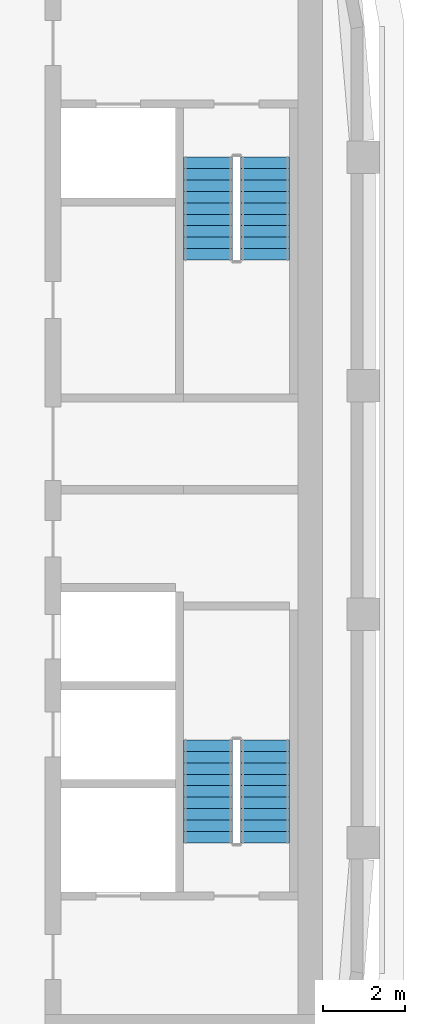
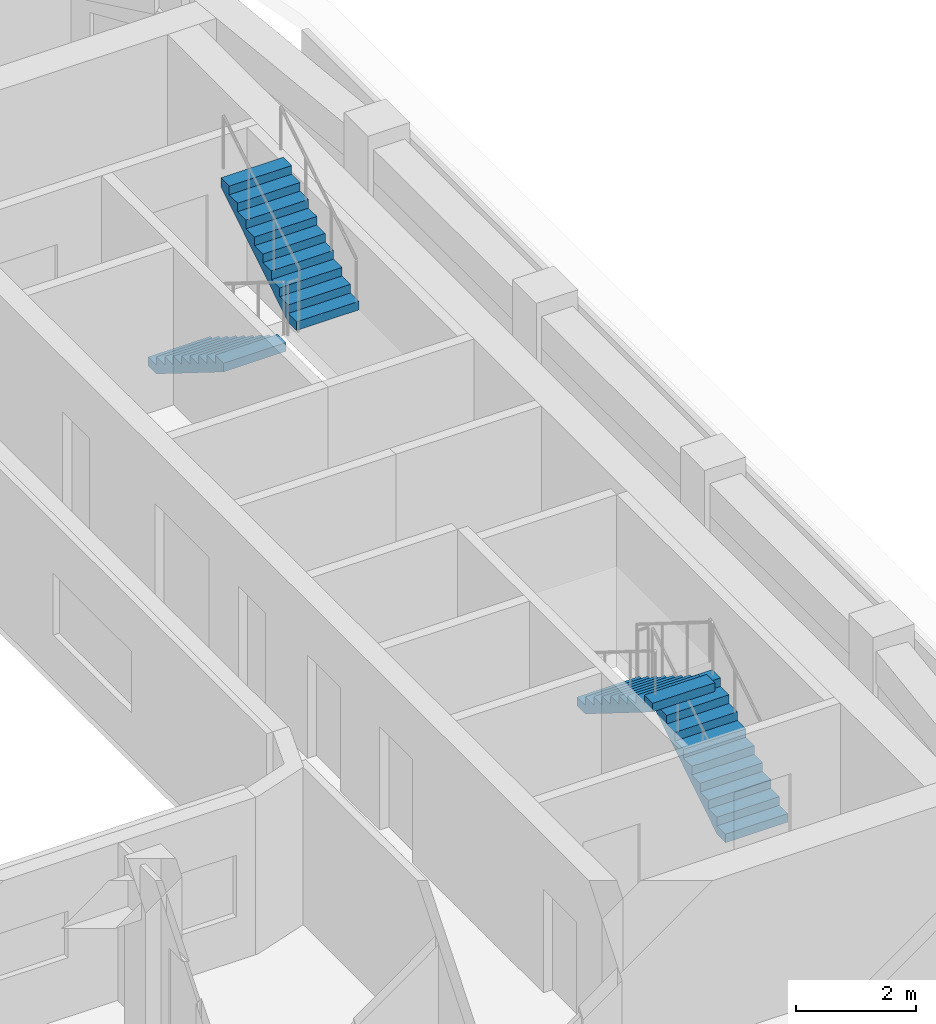
# One storey, part 9 of 16: 4 stair flights, 2 elements without a shape of their own.
"""IFC4 building model written with IfcOpenShell, lengths in metres."""

import ifcopenshell
import ifcopenshell.guid

model = None  # the IFC model being written
_history = None  # IfcOwnerHistory: only IFC2X3 demands one
_inside = {}  # id of a spatial element -> (the spatial element, [elements in it])
_under = {}  # id of a project, library or spatial element -> (it, [spatial elements below it])
_declared = {}  # id of a project -> (the project, [libraries it declares])
_typed = {}  # id of a type object -> (the type object, [elements of that type])
_made_of = {}  # id of a material, layer set ... -> (it, [elements and type objects made of it])


def new_model(schema):
    """Start an empty IFC model of exactly this schema.

    Asked for "IFC4X3", IfcOpenShell would pick the latest addendum, in which some entities
    have other attributes; the version numbers below select the first issue.
    IFC2X3 requires an IfcOwnerHistory on every rooted entity: one is made here for all.
    """
    global model, _history
    if schema == "IFC4X3":
        model = ifcopenshell.file(schema_version=(4, 3, 0, 0))
    else:
        model = ifcopenshell.file(schema=schema)
    _inside.clear()
    _under.clear()
    _declared.clear()
    _typed.clear()
    _made_of.clear()
    _history = None
    if model.schema == "IFC2X3":
        org = make("IfcOrganization", Name="unknown")
        user = make(
            "IfcPersonAndOrganization",
            ThePerson=make("IfcPerson", FamilyName="unknown"),
            TheOrganization=org,
        )
        app = make(
            "IfcApplication",
            ApplicationDeveloper=org,
            Version="unknown",
            ApplicationFullName="unknown",
            ApplicationIdentifier="unknown",
        )
        _history = make(
            "IfcOwnerHistory",
            OwningUser=user,
            OwningApplication=app,
            ChangeAction="ADDED",
            CreationDate=0,
        )
    return model


def make(cls, **values):
    """One entity of the class cls with the attributes given. An attribute that is None is left unset."""
    return model.create_entity(
        cls, **{name: value for name, value in values.items() if value is not None}
    )


def rooted(cls, **values):
    """An entity with a GlobalId (a new one), such as an element, a storey or a relation."""
    return make(cls, GlobalId=ifcopenshell.guid.new(), OwnerHistory=_history, **values)


def si_unit(unit_type, name, prefix=None):
    """IfcSIUnit, for example si_unit("LENGTHUNIT", "METRE", prefix="MILLI")."""
    return make("IfcSIUnit", UnitType=unit_type, Prefix=prefix, Name=name)


def assignment(units):
    """IfcUnitAssignment: the units of a project."""
    return None if units is None else make("IfcUnitAssignment", Units=units)


def point(xyz):
    """IfcCartesianPoint."""
    return None if xyz is None else make("IfcCartesianPoint", Coordinates=xyz)


def direction(xyz):
    """IfcDirection."""
    return None if xyz is None else make("IfcDirection", DirectionRatios=xyz)


def frame(location, z_axis=None, x_axis=None):
    """IfcAxis2Placement3D, a coordinate frame: its origin and axes. An axis left out is left unset."""
    return make(
        "IfcAxis2Placement3D",
        Location=point(location),
        Axis=direction(z_axis),
        RefDirection=direction(x_axis),
    )


def origin():
    """The frame at (0, 0, 0) with its axes left unset."""
    return frame((0.0, 0.0, 0.0))


def place(relative_to, where):
    """IfcLocalPlacement: puts the frame where relative to a parent placement (None: the world)."""
    return make(
        "IfcLocalPlacement", PlacementRelTo=relative_to, RelativePlacement=where
    )


def context(
    kind, dimensions, precision=None, world=None, true_north=None, identifier=None
):
    """IfcGeometricRepresentationContext, for example the 3D "Model" context."""
    return make(
        "IfcGeometricRepresentationContext",
        ContextIdentifier=identifier,
        ContextType=kind,
        CoordinateSpaceDimension=dimensions,
        Precision=precision,
        WorldCoordinateSystem=world,
        TrueNorth=true_north,
    )


def subcontext(parent, identifier, kind, view, scale=None):
    """IfcGeometricRepresentationSubContext, for example "Body" below "Model"."""
    return make(
        "IfcGeometricRepresentationSubContext",
        ContextIdentifier=identifier,
        ContextType=kind,
        ParentContext=parent,
        TargetScale=scale,
        TargetView=view,
    )


def project(units=None, contexts=None):
    """IfcProject with its units and contexts."""
    return rooted(
        "IfcProject",
        Name="project",
        RepresentationContexts=contexts,
        UnitsInContext=assignment(units),
    )


def spatial(cls, under=None, at=None, **own):
    """A site, building, storey or space (cls), placed at a placement, below another one or the project."""
    s = rooted(cls, ObjectPlacement=at, **own)
    if under is not None:
        _under.setdefault(under.id(), (under, []))[1].append(s)
    return s


def polyline(points):
    """IfcPolyline through the points."""
    return make("IfcPolyline", Points=[point(p) for p in points])


def outline(outer, holes=None, kind="AREA"):
    """IfcArbitraryClosedProfileDef: a profile drawn as a closed curve; with holes, ...WithVoids."""
    if holes is None:
        return make("IfcArbitraryClosedProfileDef", ProfileType=kind, OuterCurve=outer)
    return make(
        "IfcArbitraryProfileDefWithVoids",
        ProfileType=kind,
        OuterCurve=outer,
        InnerCurves=holes,
    )


def extrude(swept, where, along, depth):
    """IfcExtrudedAreaSolid: the profile swept, set in the frame where, extruded along a direction by depth."""
    return make(
        "IfcExtrudedAreaSolid",
        SweptArea=swept,
        Position=where,
        ExtrudedDirection=direction(along),
        Depth=depth,
    )


def shape(context_of_items, identifier, shape_type, items):
    """IfcShapeRepresentation: the items that make up one representation, for example the "Body"."""
    return make(
        "IfcShapeRepresentation",
        ContextOfItems=context_of_items,
        RepresentationIdentifier=identifier,
        RepresentationType=shape_type,
        Items=items,
    )


def material(Name=None, Category=None):
    """IfcMaterial."""
    return make("IfcMaterial", Name=Name, Category=Category)


def made_of(thing, what):
    """Note that an element or type object is made of a material, layer set ...; save() writes the relation."""
    if what is not None:
        _made_of.setdefault(what.id(), (what, []))[1].append(thing)
    return thing


def type_object(cls, material=None, **own):
    """A type object (cls), such as IfcWallType, which elements share."""
    return made_of(rooted(cls, **own), material)


def element(
    cls,
    number,
    at=None,
    inside=None,
    cuts=None,
    type_object=None,
    material=None,
    context=None,
    identifier="Body",
    shape_type=None,
    held_by="IfcProductDefinitionShape",
    body=None,
    shapes=None,
    **own,
):
    """One element of the class cls, such as IfcWall. Its Tag is "e" and its number.

    at: its placement. inside: the storey or other place that contains it. cuts: it is an
    opening in that element (IfcRelVoidsElement). A single representation is given by context,
    identifier, shape_type and body (its items); several are given by shapes. held_by: the class
    of the entity that holds the representations. save() writes the other relations.
    """
    e = rooted(cls, Tag="e%d" % number, ObjectPlacement=at, **own)
    if body is not None:
        shapes = [shape(context, identifier, shape_type, body)]
    if shapes is not None:
        e.Representation = make(held_by, Representations=shapes)
    if inside is not None:
        _inside.setdefault(inside.id(), (inside, []))[1].append(e)
    if cuts is not None:
        rooted(
            "IfcRelVoidsElement", RelatingBuildingElement=cuts, RelatedOpeningElement=e
        )
    if type_object is not None:
        _typed.setdefault(type_object.id(), (type_object, []))[1].append(e)
    return made_of(e, material)


def aggregate(whole, parts):
    """IfcRelAggregates: a whole, such as a stair, and the parts it consists of."""
    return rooted("IfcRelAggregates", RelatingObject=whole, RelatedObjects=parts)


def save(model, path):
    """Write the relations noted so far, then the file.

    IfcRelAggregates (storeys below a building ...), IfcRelContainedInSpatialStructure (elements
    in a storey), IfcRelDefinesByType, IfcRelAssociatesMaterial and IfcRelDeclares: one each for
    every whole, place, type object, material and project.
    """
    for whole, parts in _under.values():
        aggregate(whole, parts)
    for where, things in _inside.values():
        rooted(
            "IfcRelContainedInSpatialStructure",
            RelatedElements=things,
            RelatingStructure=where,
        )
    for kind, things in _typed.values():
        rooted("IfcRelDefinesByType", RelatedObjects=things, RelatingType=kind)
    for what, things in _made_of.values():
        rooted("IfcRelAssociatesMaterial", RelatedObjects=things, RelatingMaterial=what)
    for by, libraries in _declared.values():
        rooted("IfcRelDeclares", RelatingContext=by, RelatedDefinitions=libraries)
    model.write(path)


model = new_model("IFC4")

# Units and contexts
model_context = context("Model", 3, precision=1e-05, world=origin(), true_north=direction((0.0, 1.0)))
body_context = subcontext(model_context, "Body", "Model", "MODEL_VIEW")
ifc_project = project(units=[si_unit("LENGTHUNIT", "METRE"), si_unit("AREAUNIT", "SQUARE_METRE"), si_unit("VOLUMEUNIT", "CUBIC_METRE"), si_unit("PLANEANGLEUNIT", "RADIAN"), si_unit("MASSUNIT", "GRAM", prefix="KILO")], contexts=[model_context])

# Site, building, storey
site_placement = place(None, origin())
site = spatial("IfcSite", under=ifc_project, at=site_placement, CompositionType="ELEMENT")
building_placement = place(site_placement, origin())
building = spatial("IfcBuilding", under=site, at=building_placement, Name="Kiln Ring Residences", CompositionType="ELEMENT")
storey_placement = place(building_placement, frame((0.0, 0.0, 259.199951171875)))
storey = spatial("IfcBuildingStorey", under=building, at=storey_placement, Name="L67", CompositionType="ELEMENT", Elevation=259.199951171875)

# Stair, stair flights
ifc_material_1 = material(Name="Concrete C40/50", Category="concrete")
stair_type = type_object("IfcStairType", Name="CORE-STAIR", PredefinedType="HALF_TURN_STAIR", material=ifc_material_1)
placement = place(storey_placement, origin())
stair_1 = element("IfcStair", 1, at=placement, inside=storey, type_object=stair_type, Name="L67 stair E-STN", PredefinedType="HALF_TURN_STAIR")
ifc_material_2 = material(Name="Concrete C40/50", Category="concrete")
stair_flight_type = type_object("IfcStairFlightType", Name="CORE-STAIR-FLIGHT", PredefinedType="STRAIGHT", material=ifc_material_2)
stair_flight_1_placement = place(storey_placement, frame((21.39990234375, 8.39990234375, 0.0), z_axis=(0.0, 0.0, 1.0), x_axis=(0.0, -1.0, 0.0)))
stair_flight_1 = element("IfcStairFlight", 2, at=stair_flight_1_placement, type_object=stair_flight_type, Name="E-STN flight 1", NumberOfRisers=10, NumberOfTreads=9, PredefinedType="STRAIGHT", RiserHeight=0.175, TreadLength=0.28, context=body_context, shape_type="SweptSolid", body=[
    extrude(outline(polyline([(0.0, 0.0), (0.0, 0.175048828125), (0.280029296875, 0.175048828125), (0.280029296875, 0.35009765625), (0.56005859375, 0.35009765625), (0.56005859375, 0.52490234375), (0.840087890625, 0.52490234375), (0.840087890625, 0.699951171875), (1.1201171875, 0.699951171875), (1.1201171875, 0.875), (1.39990234375, 0.875), (1.39990234375, 1.050048828125), (1.679931640625, 1.050048828125), (1.679931640625, 1.22509765625), (1.9599609375, 1.22509765625), (1.9599609375, 1.39990234375), (2.239990234375, 1.39990234375), (2.239990234375, 1.574951171875), (2.52001953125, 1.574951171875), (2.52001953125, 1.75), (2.52001953125, 1.398193359375), (0.28271484375, 0.0), (0.0, 0.0)])), frame((0.0, 0.60009765625, 0.0), z_axis=(0.0, -1.0, 0.0), x_axis=(1.0, 0.0, 0.0)), (0.0, 0.0, 1.0), 1.199951171875),
])
stair_flight_2_placement = place(storey_placement, frame((22.800048828125, 5.8798828125, 1.75), z_axis=(0.0, 0.0, 1.0), x_axis=(0.0, 1.0, 0.0)))
stair_flight_2 = element("IfcStairFlight", 3, at=stair_flight_2_placement, type_object=stair_flight_type, Name="E-STN flight 2", NumberOfRisers=10, NumberOfTreads=9, PredefinedType="STRAIGHT", RiserHeight=0.175, TreadLength=0.28, context=body_context, shape_type="SweptSolid", body=[
    extrude(outline(polyline([(0.0, 0.0), (0.0, 0.175048828125), (0.280029296875, 0.175048828125), (0.280029296875, 0.35009765625), (0.56005859375, 0.35009765625), (0.56005859375, 0.52490234375), (0.840087890625, 0.52490234375), (0.840087890625, 0.699951171875), (1.1201171875, 0.699951171875), (1.1201171875, 0.875), (1.39990234375, 0.875), (1.39990234375, 1.050048828125), (1.679931640625, 1.050048828125), (1.679931640625, 1.22509765625), (1.9599609375, 1.22509765625), (1.9599609375, 1.39990234375), (2.239990234375, 1.39990234375), (2.239990234375, 1.574951171875), (2.52001953125, 1.574951171875), (2.52001953125, 1.75), (2.52001953125, 1.398193359375), (0.28271484375, 0.0), (0.0, 0.0)])), frame((0.0, 0.60009765625, 0.0), z_axis=(0.0, -1.0, 0.0), x_axis=(1.0, 0.0, 0.0)), (0.0, 0.0, 1.0), 1.199951171875),
])
aggregate(stair_1, [stair_flight_1, stair_flight_2])

stair_2 = element("IfcStair", 4, at=placement, inside=storey, type_object=stair_type, Name="L67 stair E-STS", PredefinedType="HALF_TURN_STAIR")
stair_flight_3_placement = place(storey_placement, frame((22.800048828125, -8.39990234375, 0.0), z_axis=(0.0, 0.0, 1.0), x_axis=(0.0, 1.0, 0.0)))
stair_flight_3 = element("IfcStairFlight", 5, at=stair_flight_3_placement, type_object=stair_flight_type, Name="E-STS flight 1", NumberOfRisers=10, NumberOfTreads=9, PredefinedType="STRAIGHT", RiserHeight=0.175, TreadLength=0.28, context=body_context, shape_type="SweptSolid", body=[
    extrude(outline(polyline([(0.0, 0.0), (0.0, 0.175048828125), (0.280029296875, 0.175048828125), (0.280029296875, 0.35009765625), (0.56005859375, 0.35009765625), (0.56005859375, 0.52490234375), (0.840087890625, 0.52490234375), (0.840087890625, 0.699951171875), (1.1201171875, 0.699951171875), (1.1201171875, 0.875), (1.39990234375, 0.875), (1.39990234375, 1.050048828125), (1.679931640625, 1.050048828125), (1.679931640625, 1.22509765625), (1.9599609375, 1.22509765625), (1.9599609375, 1.39990234375), (2.239990234375, 1.39990234375), (2.239990234375, 1.574951171875), (2.52001953125, 1.574951171875), (2.52001953125, 1.75), (2.52001953125, 1.398193359375), (0.28271484375, 0.0), (0.0, 0.0)])), frame((0.0, 0.60009765625, 0.0), z_axis=(0.0, -1.0, 0.0), x_axis=(1.0, 0.0, 0.0)), (0.0, 0.0, 1.0), 1.199951171875),
])
stair_flight_4_placement = place(storey_placement, frame((21.39990234375, -5.8798828125, 1.75), z_axis=(0.0, 0.0, 1.0), x_axis=(0.0, -1.0, 0.0)))
stair_flight_4 = element("IfcStairFlight", 6, at=stair_flight_4_placement, type_object=stair_flight_type, Name="E-STS flight 2", NumberOfRisers=10, NumberOfTreads=9, PredefinedType="STRAIGHT", RiserHeight=0.175, TreadLength=0.28, context=body_context, shape_type="SweptSolid", body=[
    extrude(outline(polyline([(0.0, 0.0), (0.0, 0.175048828125), (0.280029296875, 0.175048828125), (0.280029296875, 0.35009765625), (0.56005859375, 0.35009765625), (0.56005859375, 0.52490234375), (0.840087890625, 0.52490234375), (0.840087890625, 0.699951171875), (1.1201171875, 0.699951171875), (1.1201171875, 0.875), (1.39990234375, 0.875), (1.39990234375, 1.050048828125), (1.679931640625, 1.050048828125), (1.679931640625, 1.22509765625), (1.9599609375, 1.22509765625), (1.9599609375, 1.39990234375), (2.239990234375, 1.39990234375), (2.239990234375, 1.574951171875), (2.52001953125, 1.574951171875), (2.52001953125, 1.75), (2.52001953125, 1.398193359375), (0.28271484375, 0.0), (0.0, 0.0)])), frame((0.0, 0.60009765625, 0.0), z_axis=(0.0, -1.0, 0.0), x_axis=(1.0, 0.0, 0.0)), (0.0, 0.0, 1.0), 1.199951171875),
])
aggregate(stair_2, [stair_flight_3, stair_flight_4])

save(model, "model.ifc")
